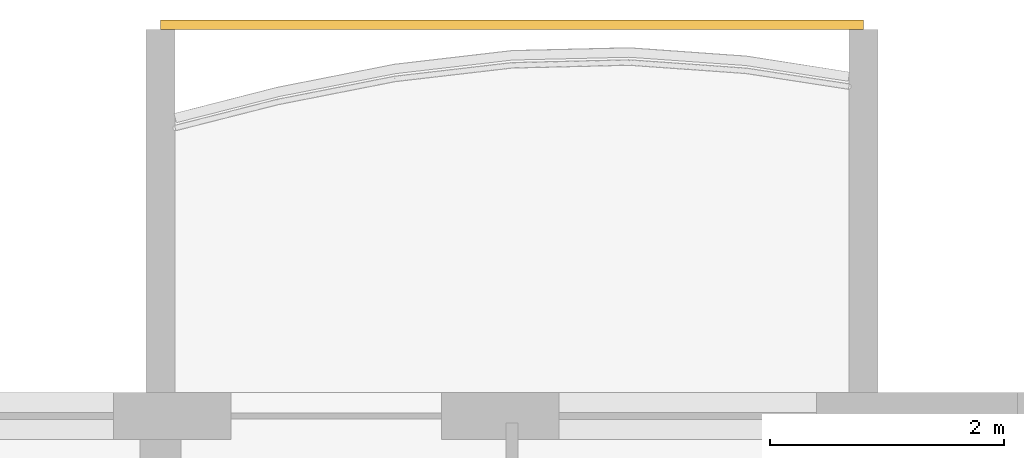
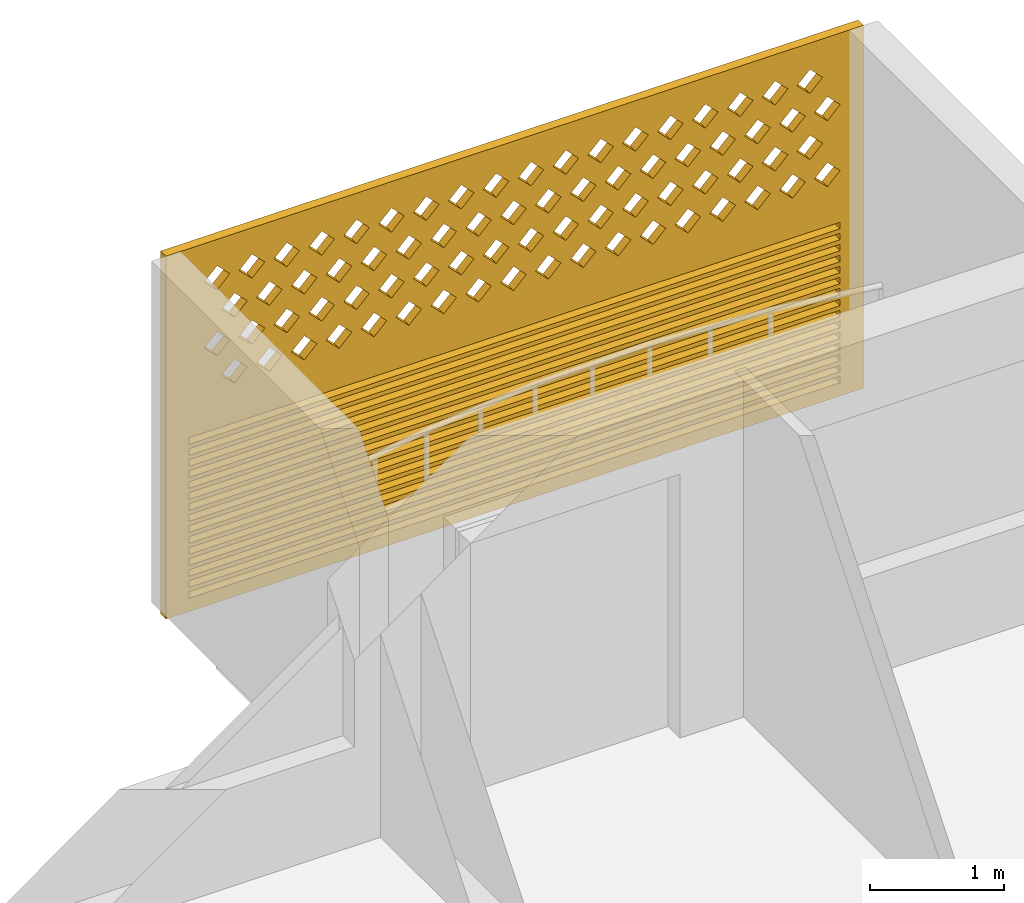
# One storey, part 31 of 31: 1 covering.
"""IFC4 building model written with IfcOpenShell, lengths in metres."""

from ifc_helpers import new_model, si_unit, direction, frame, origin, place, context, subcontext, project, spatial, polyline, outline, extrude, source, transform, mapped, material, material_profile, profile_set, type_object, element, save


model = new_model("IFC4")

# Units and contexts
model_context = context("Model", 3, precision=1e-05, world=origin(), true_north=direction((0.0, 1.0)))
body_context = subcontext(model_context, "Body", "Model", "MODEL_VIEW")
ifc_project = project(units=[si_unit("LENGTHUNIT", "METRE"), si_unit("AREAUNIT", "SQUARE_METRE"), si_unit("VOLUMEUNIT", "CUBIC_METRE"), si_unit("PLANEANGLEUNIT", "RADIAN"), si_unit("MASSUNIT", "GRAM", prefix="KILO")], contexts=[model_context])

# Site, building, storey
site_placement = place(None, origin())
site = spatial("IfcSite", under=ifc_project, at=site_placement, CompositionType="ELEMENT")
building_placement = place(site_placement, origin())
building = spatial("IfcBuilding", under=site, at=building_placement, Name="Poui Terraces", CompositionType="ELEMENT")
storey_placement = place(building_placement, frame((0.0, 0.0, 82.800048828125)))
storey = spatial("IfcBuildingStorey", under=building, at=storey_placement, Name="L22", CompositionType="ELEMENT", Elevation=82.800048828125)

# Covering
ifc_material = material(Name="Terracotta screen", Category="masonry")
ifc_material_profile = material_profile(ifc_material, outline(polyline([(-3.0, -1.64990234375), (3.0, -1.64990234375), (3.0, 1.64990234375), (-3.0, 1.64990234375), (-3.0, -1.64990234375)]), holes=[polyline([(-2.800048828125, 0.39990234375), (-2.68994140625, 0.2900390625), (-2.580078125, 0.39990234375), (-2.68994140625, 0.510009765625), (-2.800048828125, 0.39990234375)]), polyline([(-2.5, 0.39990234375), (-2.389892578125, 0.2900390625), (-2.280029296875, 0.39990234375), (-2.389892578125, 0.510009765625), (-2.5, 0.39990234375)]), polyline([(-2.199951171875, 0.39990234375), (-2.090087890625, 0.2900390625), (-1.97998046875, 0.39990234375), (-2.090087890625, 0.510009765625), (-2.199951171875, 0.39990234375)]), polyline([(-1.89990234375, 0.39990234375), (-1.7900390625, 0.2900390625), (-1.679931640625, 0.39990234375), (-1.7900390625, 0.510009765625), (-1.89990234375, 0.39990234375)]), polyline([(-1.60009765625, 0.39990234375), (-1.489990234375, 0.2900390625), (-1.3798828125, 0.39990234375), (-1.489990234375, 0.510009765625), (-1.60009765625, 0.39990234375)]), polyline([(-1.300048828125, 0.39990234375), (-1.18994140625, 0.2900390625), (-1.080078125, 0.39990234375), (-1.18994140625, 0.510009765625), (-1.300048828125, 0.39990234375)]), polyline([(-1.0, 0.39990234375), (-0.889892578125, 0.2900390625), (-0.780029296875, 0.39990234375), (-0.889892578125, 0.510009765625), (-1.0, 0.39990234375)]), polyline([(-0.699951171875, 0.39990234375), (-0.590087890625, 0.2900390625), (-0.47998046875, 0.39990234375), (-0.590087890625, 0.510009765625), (-0.699951171875, 0.39990234375)]), polyline([(-0.39990234375, 0.39990234375), (-0.2900390625, 0.2900390625), (-0.179931640625, 0.39990234375), (-0.2900390625, 0.510009765625), (-0.39990234375, 0.39990234375)]), polyline([(-0.10009765625, 0.39990234375), (0.010009765625, 0.2900390625), (0.1201171875, 0.39990234375), (0.010009765625, 0.510009765625), (-0.10009765625, 0.39990234375)]), polyline([(0.199951171875, 0.39990234375), (0.31005859375, 0.2900390625), (0.419921875, 0.39990234375), (0.31005859375, 0.510009765625), (0.199951171875, 0.39990234375)]), polyline([(0.5, 0.39990234375), (0.610107421875, 0.2900390625), (0.719970703125, 0.39990234375), (0.610107421875, 0.510009765625), (0.5, 0.39990234375)]), polyline([(0.800048828125, 0.39990234375), (0.909912109375, 0.2900390625), (1.02001953125, 0.39990234375), (0.909912109375, 0.510009765625), (0.800048828125, 0.39990234375)]), polyline([(1.10009765625, 0.39990234375), (1.2099609375, 0.2900390625), (1.320068359375, 0.39990234375), (1.2099609375, 0.510009765625), (1.10009765625, 0.39990234375)]), polyline([(1.39990234375, 0.39990234375), (1.510009765625, 0.2900390625), (1.6201171875, 0.39990234375), (1.510009765625, 0.510009765625), (1.39990234375, 0.39990234375)]), polyline([(1.699951171875, 0.39990234375), (1.81005859375, 0.2900390625), (1.919921875, 0.39990234375), (1.81005859375, 0.510009765625), (1.699951171875, 0.39990234375)]), polyline([(2.0, 0.39990234375), (2.110107421875, 0.2900390625), (2.219970703125, 0.39990234375), (2.110107421875, 0.510009765625), (2.0, 0.39990234375)]), polyline([(2.300048828125, 0.39990234375), (2.409912109375, 0.2900390625), (2.52001953125, 0.39990234375), (2.409912109375, 0.510009765625), (2.300048828125, 0.39990234375)]), polyline([(-2.64990234375, 0.699951171875), (-2.5400390625, 0.590087890625), (-2.429931640625, 0.699951171875), (-2.5400390625, 0.81005859375), (-2.64990234375, 0.699951171875)]), polyline([(-2.35009765625, 0.699951171875), (-2.239990234375, 0.590087890625), (-2.1298828125, 0.699951171875), (-2.239990234375, 0.81005859375), (-2.35009765625, 0.699951171875)]), polyline([(-2.050048828125, 0.699951171875), (-1.93994140625, 0.590087890625), (-1.830078125, 0.699951171875), (-1.93994140625, 0.81005859375), (-2.050048828125, 0.699951171875)]), polyline([(-1.75, 0.699951171875), (-1.639892578125, 0.590087890625), (-1.530029296875, 0.699951171875), (-1.639892578125, 0.81005859375), (-1.75, 0.699951171875)]), polyline([(-1.449951171875, 0.699951171875), (-1.340087890625, 0.590087890625), (-1.22998046875, 0.699951171875), (-1.340087890625, 0.81005859375), (-1.449951171875, 0.699951171875)]), polyline([(-1.14990234375, 0.699951171875), (-1.0400390625, 0.590087890625), (-0.929931640625, 0.699951171875), (-1.0400390625, 0.81005859375), (-1.14990234375, 0.699951171875)]), polyline([(-0.85009765625, 0.699951171875), (-0.739990234375, 0.590087890625), (-0.6298828125, 0.699951171875), (-0.739990234375, 0.81005859375), (-0.85009765625, 0.699951171875)]), polyline([(-0.550048828125, 0.699951171875), (-0.43994140625, 0.590087890625), (-0.330078125, 0.699951171875), (-0.43994140625, 0.81005859375), (-0.550048828125, 0.699951171875)]), polyline([(-0.25, 0.699951171875), (-0.139892578125, 0.590087890625), (-0.030029296875, 0.699951171875), (-0.139892578125, 0.81005859375), (-0.25, 0.699951171875)]), polyline([(0.050048828125, 0.699951171875), (0.159912109375, 0.590087890625), (0.27001953125, 0.699951171875), (0.159912109375, 0.81005859375), (0.050048828125, 0.699951171875)]), polyline([(0.35009765625, 0.699951171875), (0.4599609375, 0.590087890625), (0.570068359375, 0.699951171875), (0.4599609375, 0.81005859375), (0.35009765625, 0.699951171875)]), polyline([(0.64990234375, 0.699951171875), (0.760009765625, 0.590087890625), (0.8701171875, 0.699951171875), (0.760009765625, 0.81005859375), (0.64990234375, 0.699951171875)]), polyline([(0.949951171875, 0.699951171875), (1.06005859375, 0.590087890625), (1.169921875, 0.699951171875), (1.06005859375, 0.81005859375), (0.949951171875, 0.699951171875)]), polyline([(1.25, 0.699951171875), (1.360107421875, 0.590087890625), (1.469970703125, 0.699951171875), (1.360107421875, 0.81005859375), (1.25, 0.699951171875)]), polyline([(1.550048828125, 0.699951171875), (1.659912109375, 0.590087890625), (1.77001953125, 0.699951171875), (1.659912109375, 0.81005859375), (1.550048828125, 0.699951171875)]), polyline([(1.85009765625, 0.699951171875), (1.9599609375, 0.590087890625), (2.070068359375, 0.699951171875), (1.9599609375, 0.81005859375), (1.85009765625, 0.699951171875)]), polyline([(2.14990234375, 0.699951171875), (2.260009765625, 0.590087890625), (2.3701171875, 0.699951171875), (2.260009765625, 0.81005859375), (2.14990234375, 0.699951171875)]), polyline([(2.449951171875, 0.699951171875), (2.56005859375, 0.590087890625), (2.669921875, 0.699951171875), (2.56005859375, 0.81005859375), (2.449951171875, 0.699951171875)]), polyline([(-2.800048828125, 1.0), (-2.68994140625, 0.889892578125), (-2.580078125, 1.0), (-2.68994140625, 1.110107421875), (-2.800048828125, 1.0)]), polyline([(-2.5, 1.0), (-2.389892578125, 0.889892578125), (-2.280029296875, 1.0), (-2.389892578125, 1.110107421875), (-2.5, 1.0)]), polyline([(-2.199951171875, 1.0), (-2.090087890625, 0.889892578125), (-1.97998046875, 1.0), (-2.090087890625, 1.110107421875), (-2.199951171875, 1.0)]), polyline([(-1.89990234375, 1.0), (-1.7900390625, 0.889892578125), (-1.679931640625, 1.0), (-1.7900390625, 1.110107421875), (-1.89990234375, 1.0)]), polyline([(-1.60009765625, 1.0), (-1.489990234375, 0.889892578125), (-1.3798828125, 1.0), (-1.489990234375, 1.110107421875), (-1.60009765625, 1.0)]), polyline([(-1.300048828125, 1.0), (-1.18994140625, 0.889892578125), (-1.080078125, 1.0), (-1.18994140625, 1.110107421875), (-1.300048828125, 1.0)]), polyline([(-1.0, 1.0), (-0.889892578125, 0.889892578125), (-0.780029296875, 1.0), (-0.889892578125, 1.110107421875), (-1.0, 1.0)]), polyline([(-0.699951171875, 1.0), (-0.590087890625, 0.889892578125), (-0.47998046875, 1.0), (-0.590087890625, 1.110107421875), (-0.699951171875, 1.0)]), polyline([(-0.39990234375, 1.0), (-0.2900390625, 0.889892578125), (-0.179931640625, 1.0), (-0.2900390625, 1.110107421875), (-0.39990234375, 1.0)]), polyline([(-0.10009765625, 1.0), (0.010009765625, 0.889892578125), (0.1201171875, 1.0), (0.010009765625, 1.110107421875), (-0.10009765625, 1.0)]), polyline([(0.199951171875, 1.0), (0.31005859375, 0.889892578125), (0.419921875, 1.0), (0.31005859375, 1.110107421875), (0.199951171875, 1.0)]), polyline([(0.5, 1.0), (0.610107421875, 0.889892578125), (0.719970703125, 1.0), (0.610107421875, 1.110107421875), (0.5, 1.0)]), polyline([(0.800048828125, 1.0), (0.909912109375, 0.889892578125), (1.02001953125, 1.0), (0.909912109375, 1.110107421875), (0.800048828125, 1.0)]), polyline([(1.10009765625, 1.0), (1.2099609375, 0.889892578125), (1.320068359375, 1.0), (1.2099609375, 1.110107421875), (1.10009765625, 1.0)]), polyline([(1.39990234375, 1.0), (1.510009765625, 0.889892578125), (1.6201171875, 1.0), (1.510009765625, 1.110107421875), (1.39990234375, 1.0)]), polyline([(1.699951171875, 1.0), (1.81005859375, 0.889892578125), (1.919921875, 1.0), (1.81005859375, 1.110107421875), (1.699951171875, 1.0)]), polyline([(2.0, 1.0), (2.110107421875, 0.889892578125), (2.219970703125, 1.0), (2.110107421875, 1.110107421875), (2.0, 1.0)]), polyline([(2.300048828125, 1.0), (2.409912109375, 0.889892578125), (2.52001953125, 1.0), (2.409912109375, 1.110107421875), (2.300048828125, 1.0)]), polyline([(-2.64990234375, 1.300048828125), (-2.5400390625, 1.18994140625), (-2.429931640625, 1.300048828125), (-2.5400390625, 1.409912109375), (-2.64990234375, 1.300048828125)]), polyline([(-2.35009765625, 1.300048828125), (-2.239990234375, 1.18994140625), (-2.1298828125, 1.300048828125), (-2.239990234375, 1.409912109375), (-2.35009765625, 1.300048828125)]), polyline([(-2.050048828125, 1.300048828125), (-1.93994140625, 1.18994140625), (-1.830078125, 1.300048828125), (-1.93994140625, 1.409912109375), (-2.050048828125, 1.300048828125)]), polyline([(-1.75, 1.300048828125), (-1.639892578125, 1.18994140625), (-1.530029296875, 1.300048828125), (-1.639892578125, 1.409912109375), (-1.75, 1.300048828125)]), polyline([(-1.449951171875, 1.300048828125), (-1.340087890625, 1.18994140625), (-1.22998046875, 1.300048828125), (-1.340087890625, 1.409912109375), (-1.449951171875, 1.300048828125)]), polyline([(-1.14990234375, 1.300048828125), (-1.0400390625, 1.18994140625), (-0.929931640625, 1.300048828125), (-1.0400390625, 1.409912109375), (-1.14990234375, 1.300048828125)]), polyline([(-0.85009765625, 1.300048828125), (-0.739990234375, 1.18994140625), (-0.6298828125, 1.300048828125), (-0.739990234375, 1.409912109375), (-0.85009765625, 1.300048828125)]), polyline([(-0.550048828125, 1.300048828125), (-0.43994140625, 1.18994140625), (-0.330078125, 1.300048828125), (-0.43994140625, 1.409912109375), (-0.550048828125, 1.300048828125)]), polyline([(-0.25, 1.300048828125), (-0.139892578125, 1.18994140625), (-0.030029296875, 1.300048828125), (-0.139892578125, 1.409912109375), (-0.25, 1.300048828125)]), polyline([(0.050048828125, 1.300048828125), (0.159912109375, 1.18994140625), (0.27001953125, 1.300048828125), (0.159912109375, 1.409912109375), (0.050048828125, 1.300048828125)]), polyline([(0.35009765625, 1.300048828125), (0.4599609375, 1.18994140625), (0.570068359375, 1.300048828125), (0.4599609375, 1.409912109375), (0.35009765625, 1.300048828125)]), polyline([(0.64990234375, 1.300048828125), (0.760009765625, 1.18994140625), (0.8701171875, 1.300048828125), (0.760009765625, 1.409912109375), (0.64990234375, 1.300048828125)]), polyline([(0.949951171875, 1.300048828125), (1.06005859375, 1.18994140625), (1.169921875, 1.300048828125), (1.06005859375, 1.409912109375), (0.949951171875, 1.300048828125)]), polyline([(1.25, 1.300048828125), (1.360107421875, 1.18994140625), (1.469970703125, 1.300048828125), (1.360107421875, 1.409912109375), (1.25, 1.300048828125)]), polyline([(1.550048828125, 1.300048828125), (1.659912109375, 1.18994140625), (1.77001953125, 1.300048828125), (1.659912109375, 1.409912109375), (1.550048828125, 1.300048828125)]), polyline([(1.85009765625, 1.300048828125), (1.9599609375, 1.18994140625), (2.070068359375, 1.300048828125), (1.9599609375, 1.409912109375), (1.85009765625, 1.300048828125)]), polyline([(2.14990234375, 1.300048828125), (2.260009765625, 1.18994140625), (2.3701171875, 1.300048828125), (2.260009765625, 1.409912109375), (2.14990234375, 1.300048828125)]), polyline([(2.449951171875, 1.300048828125), (2.56005859375, 1.18994140625), (2.669921875, 1.300048828125), (2.56005859375, 1.409912109375), (2.449951171875, 1.300048828125)]), polyline([(-2.800048828125, -1.530029296875), (2.800048828125, -1.530029296875), (2.800048828125, -1.469970703125), (-2.800048828125, -1.469970703125), (-2.800048828125, -1.530029296875)]), polyline([(-2.800048828125, -1.429931640625), (2.800048828125, -1.429931640625), (2.800048828125, -1.3701171875), (-2.800048828125, -1.3701171875), (-2.800048828125, -1.429931640625)]), polyline([(-2.800048828125, -1.330078125), (2.800048828125, -1.330078125), (2.800048828125, -1.27001953125), (-2.800048828125, -1.27001953125), (-2.800048828125, -1.330078125)]), polyline([(-2.800048828125, -1.22998046875), (2.800048828125, -1.22998046875), (2.800048828125, -1.169921875), (-2.800048828125, -1.169921875), (-2.800048828125, -1.22998046875)]), polyline([(-2.800048828125, -1.1298828125), (2.800048828125, -1.1298828125), (2.800048828125, -1.070068359375), (-2.800048828125, -1.070068359375), (-2.800048828125, -1.1298828125)]), polyline([(-2.800048828125, -1.030029296875), (2.800048828125, -1.030029296875), (2.800048828125, -0.969970703125), (-2.800048828125, -0.969970703125), (-2.800048828125, -1.030029296875)]), polyline([(-2.800048828125, -0.929931640625), (2.800048828125, -0.929931640625), (2.800048828125, -0.8701171875), (-2.800048828125, -0.8701171875), (-2.800048828125, -0.929931640625)]), polyline([(-2.800048828125, -0.830078125), (2.800048828125, -0.830078125), (2.800048828125, -0.77001953125), (-2.800048828125, -0.77001953125), (-2.800048828125, -0.830078125)]), polyline([(-2.800048828125, -0.72998046875), (2.800048828125, -0.72998046875), (2.800048828125, -0.669921875), (-2.800048828125, -0.669921875), (-2.800048828125, -0.72998046875)]), polyline([(-2.800048828125, -0.6298828125), (2.800048828125, -0.6298828125), (2.800048828125, -0.570068359375), (-2.800048828125, -0.570068359375), (-2.800048828125, -0.6298828125)]), polyline([(-2.800048828125, -0.530029296875), (2.800048828125, -0.530029296875), (2.800048828125, -0.469970703125), (-2.800048828125, -0.469970703125), (-2.800048828125, -0.530029296875)]), polyline([(-2.800048828125, -0.429931640625), (2.800048828125, -0.429931640625), (2.800048828125, -0.3701171875), (-2.800048828125, -0.3701171875), (-2.800048828125, -0.429931640625)]), polyline([(-2.800048828125, -0.330078125), (2.800048828125, -0.330078125), (2.800048828125, -0.27001953125), (-2.800048828125, -0.27001953125), (-2.800048828125, -0.330078125)]), polyline([(-2.800048828125, -0.22998046875), (2.800048828125, -0.22998046875), (2.800048828125, -0.169921875), (-2.800048828125, -0.169921875), (-2.800048828125, -0.22998046875)]), polyline([(-2.800048828125, -0.1298828125), (2.800048828125, -0.1298828125), (2.800048828125, -0.070068359375), (-2.800048828125, -0.070068359375), (-2.800048828125, -0.1298828125)])]), Name="TERRACOTTA SCREEN AND JALOUSIE LOUVRE 6000X3300")
ifc_profile_set = profile_set([ifc_material_profile], Name="Terracotta screen")
covering_type = type_object("IfcCoveringType", Name="TERRACOTTA SCREEN AND JALOUSIE LOUVRE 6000X3300", PredefinedType="CLADDING", material=ifc_profile_set)
shared_shape = source(origin(), body_context, "Body", "SweptSolid", [
    extrude(outline(polyline([(-3.0, -1.64990234375), (3.0, -1.64990234375), (3.0, 1.64990234375), (-3.0, 1.64990234375), (-3.0, -1.64990234375)]), holes=[polyline([(-2.800048828125, 0.39990234375), (-2.68994140625, 0.2900390625), (-2.580078125, 0.39990234375), (-2.68994140625, 0.510009765625), (-2.800048828125, 0.39990234375)]), polyline([(-2.5, 0.39990234375), (-2.389892578125, 0.2900390625), (-2.280029296875, 0.39990234375), (-2.389892578125, 0.510009765625), (-2.5, 0.39990234375)]), polyline([(-2.199951171875, 0.39990234375), (-2.090087890625, 0.2900390625), (-1.97998046875, 0.39990234375), (-2.090087890625, 0.510009765625), (-2.199951171875, 0.39990234375)]), polyline([(-1.89990234375, 0.39990234375), (-1.7900390625, 0.2900390625), (-1.679931640625, 0.39990234375), (-1.7900390625, 0.510009765625), (-1.89990234375, 0.39990234375)]), polyline([(-1.60009765625, 0.39990234375), (-1.489990234375, 0.2900390625), (-1.3798828125, 0.39990234375), (-1.489990234375, 0.510009765625), (-1.60009765625, 0.39990234375)]), polyline([(-1.300048828125, 0.39990234375), (-1.18994140625, 0.2900390625), (-1.080078125, 0.39990234375), (-1.18994140625, 0.510009765625), (-1.300048828125, 0.39990234375)]), polyline([(-1.0, 0.39990234375), (-0.889892578125, 0.2900390625), (-0.780029296875, 0.39990234375), (-0.889892578125, 0.510009765625), (-1.0, 0.39990234375)]), polyline([(-0.699951171875, 0.39990234375), (-0.590087890625, 0.2900390625), (-0.47998046875, 0.39990234375), (-0.590087890625, 0.510009765625), (-0.699951171875, 0.39990234375)]), polyline([(-0.39990234375, 0.39990234375), (-0.2900390625, 0.2900390625), (-0.179931640625, 0.39990234375), (-0.2900390625, 0.510009765625), (-0.39990234375, 0.39990234375)]), polyline([(-0.10009765625, 0.39990234375), (0.010009765625, 0.2900390625), (0.1201171875, 0.39990234375), (0.010009765625, 0.510009765625), (-0.10009765625, 0.39990234375)]), polyline([(0.199951171875, 0.39990234375), (0.31005859375, 0.2900390625), (0.419921875, 0.39990234375), (0.31005859375, 0.510009765625), (0.199951171875, 0.39990234375)]), polyline([(0.5, 0.39990234375), (0.610107421875, 0.2900390625), (0.719970703125, 0.39990234375), (0.610107421875, 0.510009765625), (0.5, 0.39990234375)]), polyline([(0.800048828125, 0.39990234375), (0.909912109375, 0.2900390625), (1.02001953125, 0.39990234375), (0.909912109375, 0.510009765625), (0.800048828125, 0.39990234375)]), polyline([(1.10009765625, 0.39990234375), (1.2099609375, 0.2900390625), (1.320068359375, 0.39990234375), (1.2099609375, 0.510009765625), (1.10009765625, 0.39990234375)]), polyline([(1.39990234375, 0.39990234375), (1.510009765625, 0.2900390625), (1.6201171875, 0.39990234375), (1.510009765625, 0.510009765625), (1.39990234375, 0.39990234375)]), polyline([(1.699951171875, 0.39990234375), (1.81005859375, 0.2900390625), (1.919921875, 0.39990234375), (1.81005859375, 0.510009765625), (1.699951171875, 0.39990234375)]), polyline([(2.0, 0.39990234375), (2.110107421875, 0.2900390625), (2.219970703125, 0.39990234375), (2.110107421875, 0.510009765625), (2.0, 0.39990234375)]), polyline([(2.300048828125, 0.39990234375), (2.409912109375, 0.2900390625), (2.52001953125, 0.39990234375), (2.409912109375, 0.510009765625), (2.300048828125, 0.39990234375)]), polyline([(-2.64990234375, 0.699951171875), (-2.5400390625, 0.590087890625), (-2.429931640625, 0.699951171875), (-2.5400390625, 0.81005859375), (-2.64990234375, 0.699951171875)]), polyline([(-2.35009765625, 0.699951171875), (-2.239990234375, 0.590087890625), (-2.1298828125, 0.699951171875), (-2.239990234375, 0.81005859375), (-2.35009765625, 0.699951171875)]), polyline([(-2.050048828125, 0.699951171875), (-1.93994140625, 0.590087890625), (-1.830078125, 0.699951171875), (-1.93994140625, 0.81005859375), (-2.050048828125, 0.699951171875)]), polyline([(-1.75, 0.699951171875), (-1.639892578125, 0.590087890625), (-1.530029296875, 0.699951171875), (-1.639892578125, 0.81005859375), (-1.75, 0.699951171875)]), polyline([(-1.449951171875, 0.699951171875), (-1.340087890625, 0.590087890625), (-1.22998046875, 0.699951171875), (-1.340087890625, 0.81005859375), (-1.449951171875, 0.699951171875)]), polyline([(-1.14990234375, 0.699951171875), (-1.0400390625, 0.590087890625), (-0.929931640625, 0.699951171875), (-1.0400390625, 0.81005859375), (-1.14990234375, 0.699951171875)]), polyline([(-0.85009765625, 0.699951171875), (-0.739990234375, 0.590087890625), (-0.6298828125, 0.699951171875), (-0.739990234375, 0.81005859375), (-0.85009765625, 0.699951171875)]), polyline([(-0.550048828125, 0.699951171875), (-0.43994140625, 0.590087890625), (-0.330078125, 0.699951171875), (-0.43994140625, 0.81005859375), (-0.550048828125, 0.699951171875)]), polyline([(-0.25, 0.699951171875), (-0.139892578125, 0.590087890625), (-0.030029296875, 0.699951171875), (-0.139892578125, 0.81005859375), (-0.25, 0.699951171875)]), polyline([(0.050048828125, 0.699951171875), (0.159912109375, 0.590087890625), (0.27001953125, 0.699951171875), (0.159912109375, 0.81005859375), (0.050048828125, 0.699951171875)]), polyline([(0.35009765625, 0.699951171875), (0.4599609375, 0.590087890625), (0.570068359375, 0.699951171875), (0.4599609375, 0.81005859375), (0.35009765625, 0.699951171875)]), polyline([(0.64990234375, 0.699951171875), (0.760009765625, 0.590087890625), (0.8701171875, 0.699951171875), (0.760009765625, 0.81005859375), (0.64990234375, 0.699951171875)]), polyline([(0.949951171875, 0.699951171875), (1.06005859375, 0.590087890625), (1.169921875, 0.699951171875), (1.06005859375, 0.81005859375), (0.949951171875, 0.699951171875)]), polyline([(1.25, 0.699951171875), (1.360107421875, 0.590087890625), (1.469970703125, 0.699951171875), (1.360107421875, 0.81005859375), (1.25, 0.699951171875)]), polyline([(1.550048828125, 0.699951171875), (1.659912109375, 0.590087890625), (1.77001953125, 0.699951171875), (1.659912109375, 0.81005859375), (1.550048828125, 0.699951171875)]), polyline([(1.85009765625, 0.699951171875), (1.9599609375, 0.590087890625), (2.070068359375, 0.699951171875), (1.9599609375, 0.81005859375), (1.85009765625, 0.699951171875)]), polyline([(2.14990234375, 0.699951171875), (2.260009765625, 0.590087890625), (2.3701171875, 0.699951171875), (2.260009765625, 0.81005859375), (2.14990234375, 0.699951171875)]), polyline([(2.449951171875, 0.699951171875), (2.56005859375, 0.590087890625), (2.669921875, 0.699951171875), (2.56005859375, 0.81005859375), (2.449951171875, 0.699951171875)]), polyline([(-2.800048828125, 1.0), (-2.68994140625, 0.889892578125), (-2.580078125, 1.0), (-2.68994140625, 1.110107421875), (-2.800048828125, 1.0)]), polyline([(-2.5, 1.0), (-2.389892578125, 0.889892578125), (-2.280029296875, 1.0), (-2.389892578125, 1.110107421875), (-2.5, 1.0)]), polyline([(-2.199951171875, 1.0), (-2.090087890625, 0.889892578125), (-1.97998046875, 1.0), (-2.090087890625, 1.110107421875), (-2.199951171875, 1.0)]), polyline([(-1.89990234375, 1.0), (-1.7900390625, 0.889892578125), (-1.679931640625, 1.0), (-1.7900390625, 1.110107421875), (-1.89990234375, 1.0)]), polyline([(-1.60009765625, 1.0), (-1.489990234375, 0.889892578125), (-1.3798828125, 1.0), (-1.489990234375, 1.110107421875), (-1.60009765625, 1.0)]), polyline([(-1.300048828125, 1.0), (-1.18994140625, 0.889892578125), (-1.080078125, 1.0), (-1.18994140625, 1.110107421875), (-1.300048828125, 1.0)]), polyline([(-1.0, 1.0), (-0.889892578125, 0.889892578125), (-0.780029296875, 1.0), (-0.889892578125, 1.110107421875), (-1.0, 1.0)]), polyline([(-0.699951171875, 1.0), (-0.590087890625, 0.889892578125), (-0.47998046875, 1.0), (-0.590087890625, 1.110107421875), (-0.699951171875, 1.0)]), polyline([(-0.39990234375, 1.0), (-0.2900390625, 0.889892578125), (-0.179931640625, 1.0), (-0.2900390625, 1.110107421875), (-0.39990234375, 1.0)]), polyline([(-0.10009765625, 1.0), (0.010009765625, 0.889892578125), (0.1201171875, 1.0), (0.010009765625, 1.110107421875), (-0.10009765625, 1.0)]), polyline([(0.199951171875, 1.0), (0.31005859375, 0.889892578125), (0.419921875, 1.0), (0.31005859375, 1.110107421875), (0.199951171875, 1.0)]), polyline([(0.5, 1.0), (0.610107421875, 0.889892578125), (0.719970703125, 1.0), (0.610107421875, 1.110107421875), (0.5, 1.0)]), polyline([(0.800048828125, 1.0), (0.909912109375, 0.889892578125), (1.02001953125, 1.0), (0.909912109375, 1.110107421875), (0.800048828125, 1.0)]), polyline([(1.10009765625, 1.0), (1.2099609375, 0.889892578125), (1.320068359375, 1.0), (1.2099609375, 1.110107421875), (1.10009765625, 1.0)]), polyline([(1.39990234375, 1.0), (1.510009765625, 0.889892578125), (1.6201171875, 1.0), (1.510009765625, 1.110107421875), (1.39990234375, 1.0)]), polyline([(1.699951171875, 1.0), (1.81005859375, 0.889892578125), (1.919921875, 1.0), (1.81005859375, 1.110107421875), (1.699951171875, 1.0)]), polyline([(2.0, 1.0), (2.110107421875, 0.889892578125), (2.219970703125, 1.0), (2.110107421875, 1.110107421875), (2.0, 1.0)]), polyline([(2.300048828125, 1.0), (2.409912109375, 0.889892578125), (2.52001953125, 1.0), (2.409912109375, 1.110107421875), (2.300048828125, 1.0)]), polyline([(-2.64990234375, 1.300048828125), (-2.5400390625, 1.18994140625), (-2.429931640625, 1.300048828125), (-2.5400390625, 1.409912109375), (-2.64990234375, 1.300048828125)]), polyline([(-2.35009765625, 1.300048828125), (-2.239990234375, 1.18994140625), (-2.1298828125, 1.300048828125), (-2.239990234375, 1.409912109375), (-2.35009765625, 1.300048828125)]), polyline([(-2.050048828125, 1.300048828125), (-1.93994140625, 1.18994140625), (-1.830078125, 1.300048828125), (-1.93994140625, 1.409912109375), (-2.050048828125, 1.300048828125)]), polyline([(-1.75, 1.300048828125), (-1.639892578125, 1.18994140625), (-1.530029296875, 1.300048828125), (-1.639892578125, 1.409912109375), (-1.75, 1.300048828125)]), polyline([(-1.449951171875, 1.300048828125), (-1.340087890625, 1.18994140625), (-1.22998046875, 1.300048828125), (-1.340087890625, 1.409912109375), (-1.449951171875, 1.300048828125)]), polyline([(-1.14990234375, 1.300048828125), (-1.0400390625, 1.18994140625), (-0.929931640625, 1.300048828125), (-1.0400390625, 1.409912109375), (-1.14990234375, 1.300048828125)]), polyline([(-0.85009765625, 1.300048828125), (-0.739990234375, 1.18994140625), (-0.6298828125, 1.300048828125), (-0.739990234375, 1.409912109375), (-0.85009765625, 1.300048828125)]), polyline([(-0.550048828125, 1.300048828125), (-0.43994140625, 1.18994140625), (-0.330078125, 1.300048828125), (-0.43994140625, 1.409912109375), (-0.550048828125, 1.300048828125)]), polyline([(-0.25, 1.300048828125), (-0.139892578125, 1.18994140625), (-0.030029296875, 1.300048828125), (-0.139892578125, 1.409912109375), (-0.25, 1.300048828125)]), polyline([(0.050048828125, 1.300048828125), (0.159912109375, 1.18994140625), (0.27001953125, 1.300048828125), (0.159912109375, 1.409912109375), (0.050048828125, 1.300048828125)]), polyline([(0.35009765625, 1.300048828125), (0.4599609375, 1.18994140625), (0.570068359375, 1.300048828125), (0.4599609375, 1.409912109375), (0.35009765625, 1.300048828125)]), polyline([(0.64990234375, 1.300048828125), (0.760009765625, 1.18994140625), (0.8701171875, 1.300048828125), (0.760009765625, 1.409912109375), (0.64990234375, 1.300048828125)]), polyline([(0.949951171875, 1.300048828125), (1.06005859375, 1.18994140625), (1.169921875, 1.300048828125), (1.06005859375, 1.409912109375), (0.949951171875, 1.300048828125)]), polyline([(1.25, 1.300048828125), (1.360107421875, 1.18994140625), (1.469970703125, 1.300048828125), (1.360107421875, 1.409912109375), (1.25, 1.300048828125)]), polyline([(1.550048828125, 1.300048828125), (1.659912109375, 1.18994140625), (1.77001953125, 1.300048828125), (1.659912109375, 1.409912109375), (1.550048828125, 1.300048828125)]), polyline([(1.85009765625, 1.300048828125), (1.9599609375, 1.18994140625), (2.070068359375, 1.300048828125), (1.9599609375, 1.409912109375), (1.85009765625, 1.300048828125)]), polyline([(2.14990234375, 1.300048828125), (2.260009765625, 1.18994140625), (2.3701171875, 1.300048828125), (2.260009765625, 1.409912109375), (2.14990234375, 1.300048828125)]), polyline([(2.449951171875, 1.300048828125), (2.56005859375, 1.18994140625), (2.669921875, 1.300048828125), (2.56005859375, 1.409912109375), (2.449951171875, 1.300048828125)]), polyline([(-2.800048828125, -1.530029296875), (2.800048828125, -1.530029296875), (2.800048828125, -1.469970703125), (-2.800048828125, -1.469970703125), (-2.800048828125, -1.530029296875)]), polyline([(-2.800048828125, -1.429931640625), (2.800048828125, -1.429931640625), (2.800048828125, -1.3701171875), (-2.800048828125, -1.3701171875), (-2.800048828125, -1.429931640625)]), polyline([(-2.800048828125, -1.330078125), (2.800048828125, -1.330078125), (2.800048828125, -1.27001953125), (-2.800048828125, -1.27001953125), (-2.800048828125, -1.330078125)]), polyline([(-2.800048828125, -1.22998046875), (2.800048828125, -1.22998046875), (2.800048828125, -1.169921875), (-2.800048828125, -1.169921875), (-2.800048828125, -1.22998046875)]), polyline([(-2.800048828125, -1.1298828125), (2.800048828125, -1.1298828125), (2.800048828125, -1.070068359375), (-2.800048828125, -1.070068359375), (-2.800048828125, -1.1298828125)]), polyline([(-2.800048828125, -1.030029296875), (2.800048828125, -1.030029296875), (2.800048828125, -0.969970703125), (-2.800048828125, -0.969970703125), (-2.800048828125, -1.030029296875)]), polyline([(-2.800048828125, -0.929931640625), (2.800048828125, -0.929931640625), (2.800048828125, -0.8701171875), (-2.800048828125, -0.8701171875), (-2.800048828125, -0.929931640625)]), polyline([(-2.800048828125, -0.830078125), (2.800048828125, -0.830078125), (2.800048828125, -0.77001953125), (-2.800048828125, -0.77001953125), (-2.800048828125, -0.830078125)]), polyline([(-2.800048828125, -0.72998046875), (2.800048828125, -0.72998046875), (2.800048828125, -0.669921875), (-2.800048828125, -0.669921875), (-2.800048828125, -0.72998046875)]), polyline([(-2.800048828125, -0.6298828125), (2.800048828125, -0.6298828125), (2.800048828125, -0.570068359375), (-2.800048828125, -0.570068359375), (-2.800048828125, -0.6298828125)]), polyline([(-2.800048828125, -0.530029296875), (2.800048828125, -0.530029296875), (2.800048828125, -0.469970703125), (-2.800048828125, -0.469970703125), (-2.800048828125, -0.530029296875)]), polyline([(-2.800048828125, -0.429931640625), (2.800048828125, -0.429931640625), (2.800048828125, -0.3701171875), (-2.800048828125, -0.3701171875), (-2.800048828125, -0.429931640625)]), polyline([(-2.800048828125, -0.330078125), (2.800048828125, -0.330078125), (2.800048828125, -0.27001953125), (-2.800048828125, -0.27001953125), (-2.800048828125, -0.330078125)]), polyline([(-2.800048828125, -0.22998046875), (2.800048828125, -0.22998046875), (2.800048828125, -0.169921875), (-2.800048828125, -0.169921875), (-2.800048828125, -0.22998046875)]), polyline([(-2.800048828125, -0.1298828125), (2.800048828125, -0.1298828125), (2.800048828125, -0.070068359375), (-2.800048828125, -0.070068359375), (-2.800048828125, -0.1298828125)])]), origin(), (0.0, 0.0, 1.0), 0.080078125),
])
covering_placement = place(storey_placement, frame((87.0, 46.89990234375, 1.449951171875), z_axis=(0.0, 1.0, 0.0), x_axis=(-1.0, 0.0, 0.0)))
element("IfcCovering", 1, at=covering_placement, inside=storey, type_object=covering_type, Name="SOLAR SCREEN AND JALOUSIE LOUVRE", PredefinedType="CLADDING", context=body_context, shape_type="MappedRepresentation", body=[
    mapped(shared_shape, transform((0.0, 0.0, 0.0))),
])

save(model, "model.ifc")
